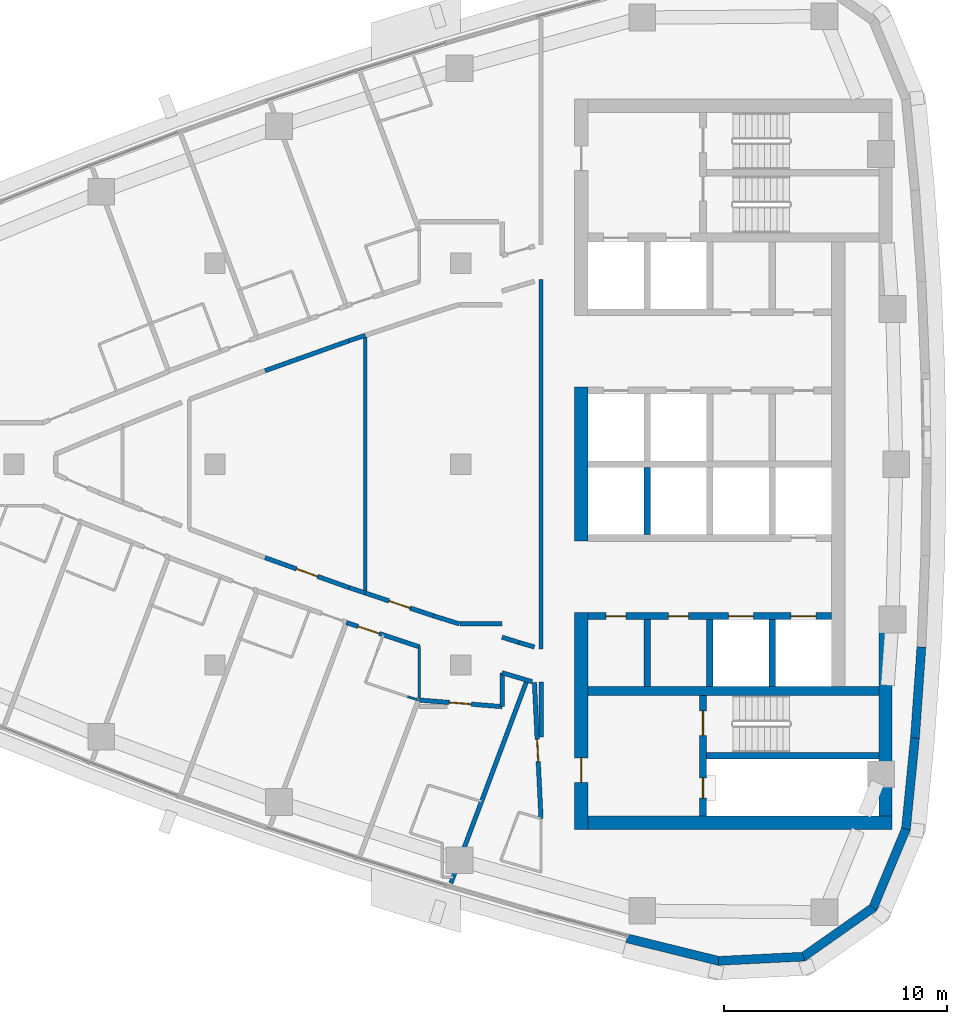
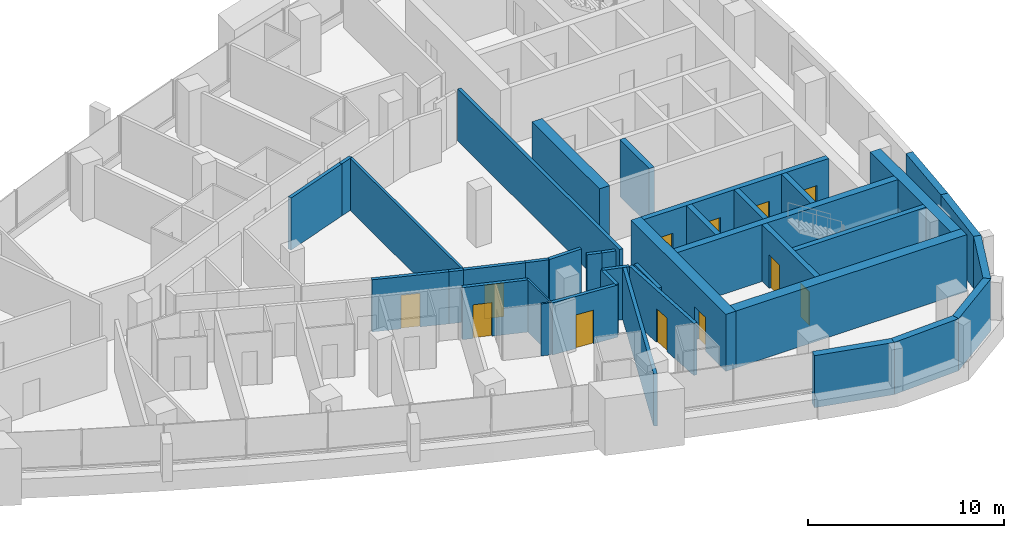
# One storey, part 10 of 16: 38 walls, 12 doors, 12 openings.
"""IFC4 building model written with IfcOpenShell, lengths in metres."""

from ifc_helpers import new_model, si_unit, direction, frame, frame_2d, origin, place, context, subcontext, project, spatial, polyline, rectangle, outline, extrude, material, layer, layer_set, type_object, element, fill, save


model = new_model("IFC4")

# Units and contexts
model_context = context("Model", 3, precision=1e-05, world=origin(), true_north=direction((0.0, 1.0)))
body_context = subcontext(model_context, "Body", "Model", "MODEL_VIEW")
ifc_project = project(units=[si_unit("LENGTHUNIT", "METRE"), si_unit("AREAUNIT", "SQUARE_METRE"), si_unit("VOLUMEUNIT", "CUBIC_METRE"), si_unit("PLANEANGLEUNIT", "RADIAN"), si_unit("MASSUNIT", "GRAM", prefix="KILO")], contexts=[model_context])

# Site, building, storey
site_placement = place(None, origin())
site = spatial("IfcSite", under=ifc_project, at=site_placement, CompositionType="ELEMENT")
building_placement = place(site_placement, origin())
building = spatial("IfcBuilding", under=site, at=building_placement, Name="Ostrand Prow Hotel Tower", CompositionType="ELEMENT")
storey_placement = place(building_placement, frame((0.0, 0.0, 249.199951171875)))
storey = spatial("IfcBuildingStorey", under=building, at=storey_placement, Name="L63", CompositionType="ELEMENT", Elevation=249.199951171875)

# Wall, openings, doors
ifc_material_1 = material(Name="Concrete C50/60", Category="concrete")
ifc_layer_1 = layer(ifc_material_1, 0.300048828125)
ifc_layer_set_1 = layer_set([ifc_layer_1], Name="Concrete C50/60")
wall_type_1 = type_object("IfcWallType", Name="Core wall 300 C50/60", PredefinedType="SHEAR", material=ifc_layer_set_1)
wall_1_placement = place(storey_placement, frame((50.699951171875, -6.800048828125, 0.0), z_axis=(0.0, 0.0, 1.0), x_axis=(1.0, 0.0, 0.0)))
wall_1 = element("IfcWall", 1, at=wall_1_placement, inside=storey, type_object=wall_type_1, Name="Core wall PW-L2-S", PredefinedType="SHEAR", context=body_context, shape_type="SweptSolid", body=[
    extrude(rectangle(XDim=10.900146484375, YDim=0.300048828125, at=frame_2d((5.4501953125, 0.0))), origin(), (0.0, 0.0, 1.0), 3.550048828125),
])
opening_1_placement = place(wall_1_placement, frame((6.300048828125, 0.0, 0.0)))
opening_1 = element("IfcOpeningElement", 2, at=opening_1_placement, cuts=wall_1, Name="Opening LD", PredefinedType="OPENING", context=body_context, shape_type="SweptSolid", body=[
    extrude(rectangle(XDim=1.10009765625, YDim=2.10009765625, at=frame_2d((0.550048828125, 1.050048828125))), frame((0.0, 0.159912109375, 0.0), z_axis=(0.0, -1.0, 0.0), x_axis=(1.0, 0.0, 0.0)), (0.0, 0.0, 1.0), 0.320068359375),
])
opening_2_placement = place(wall_1_placement, frame((9.10009765625, 0.0, 0.0)))
opening_2 = element("IfcOpeningElement", 3, at=opening_2_placement, cuts=wall_1, Name="Opening LD", PredefinedType="OPENING", context=body_context, shape_type="SweptSolid", body=[
    extrude(rectangle(XDim=1.10009765625, YDim=2.10009765625, at=frame_2d((0.550048828125, 1.050048828125))), frame((0.0, 0.159912109375, 0.0), z_axis=(0.0, -1.0, 0.0), x_axis=(1.0, 0.0, 0.0)), (0.0, 0.0, 1.0), 0.320068359375),
])
opening_3_placement = place(wall_1_placement, frame((0.800048828125, 0.0, 0.0)))
opening_3 = element("IfcOpeningElement", 4, at=opening_3_placement, cuts=wall_1, Name="Opening FD2", PredefinedType="OPENING", context=body_context, shape_type="SweptSolid", body=[
    extrude(rectangle(XDim=0.89990234375, YDim=2.10009765625, at=frame_2d((0.449951171875, 1.050048828125))), frame((0.0, 0.159912109375, 0.0), z_axis=(0.0, -1.0, 0.0), x_axis=(1.0, 0.0, 0.0)), (0.0, 0.0, 1.0), 0.320068359375),
])
opening_4_placement = place(wall_1_placement, frame((3.60009765625, 0.0, 0.0)))
opening_4 = element("IfcOpeningElement", 5, at=opening_4_placement, cuts=wall_1, Name="Opening FD2", PredefinedType="OPENING", context=body_context, shape_type="SweptSolid", body=[
    extrude(rectangle(XDim=0.89990234375, YDim=2.10009765625, at=frame_2d((0.449951171875, 1.050048828125))), frame((0.0, 0.159912109375, 0.0), z_axis=(0.0, -1.0, 0.0), x_axis=(1.0, 0.0, 0.0)), (0.0, 0.0, 1.0), 0.320068359375),
])
ifc_material_2 = material(Name="Steel fire door", Category="steel")
door_type_1 = type_object("IfcDoorType", Name="Fire door 900 EI120", OperationType="SINGLE_SWING_LEFT", PredefinedType="DOOR", material=ifc_material_2)
door_1_placement = place(opening_3_placement, origin())
door_1 = element("IfcDoor", 6, at=door_1_placement, inside=storey, type_object=door_type_1, Name="DOOR", OperationType="SINGLE_SWING_LEFT", OverallHeight=2.10009765625, OverallWidth=0.89990234375, PredefinedType="DOOR", context=body_context, shape_type="SweptSolid", body=[
    extrude(rectangle(XDim=0.89990234375, YDim=2.10009765625, at=frame_2d((0.449951171875, 1.050048828125))), frame((0.0, 0.02490234375, 0.0), z_axis=(0.0, -1.0, 0.0), x_axis=(1.0, 0.0, 0.0)), (0.0, 0.0, 1.0), 0.050048828125),
])
fill(opening_3, door_1)
door_2_placement = place(opening_4_placement, origin())
door_2 = element("IfcDoor", 7, at=door_2_placement, inside=storey, type_object=door_type_1, Name="DOOR", OperationType="SINGLE_SWING_LEFT", OverallHeight=2.10009765625, OverallWidth=0.89990234375, PredefinedType="DOOR", context=body_context, shape_type="SweptSolid", body=[
    extrude(rectangle(XDim=0.89990234375, YDim=2.10009765625, at=frame_2d((0.449951171875, 1.050048828125))), frame((0.0, 0.02490234375, 0.0), z_axis=(0.0, -1.0, 0.0), x_axis=(1.0, 0.0, 0.0)), (0.0, 0.0, 1.0), 0.050048828125),
])
fill(opening_4, door_2)
ifc_material_3 = material(Name="Stainless steel door", Category="steel")
door_type_2 = type_object("IfcDoorType", Name="Lift landing door 1100", OperationType="DOUBLE_DOOR_SLIDING", PredefinedType="DOOR", material=ifc_material_3)
door_3_placement = place(opening_1_placement, origin())
door_3 = element("IfcDoor", 8, at=door_3_placement, inside=storey, type_object=door_type_2, Name="LIFT LANDING DOOR", OperationType="DOUBLE_DOOR_SLIDING", OverallHeight=2.10009765625, OverallWidth=1.10009765625, PredefinedType="DOOR", context=body_context, shape_type="SweptSolid", body=[
    extrude(rectangle(XDim=1.10009765625, YDim=2.10009765625, at=frame_2d((0.550048828125, 1.050048828125))), frame((0.0, 0.02490234375, 0.0), z_axis=(0.0, -1.0, 0.0), x_axis=(1.0, 0.0, 0.0)), (0.0, 0.0, 1.0), 0.050048828125),
])
fill(opening_1, door_3)
door_4_placement = place(opening_2_placement, origin())
door_4 = element("IfcDoor", 9, at=door_4_placement, inside=storey, type_object=door_type_2, Name="LIFT LANDING DOOR", OperationType="DOUBLE_DOOR_SLIDING", OverallHeight=2.10009765625, OverallWidth=1.10009765625, PredefinedType="DOOR", context=body_context, shape_type="SweptSolid", body=[
    extrude(rectangle(XDim=1.10009765625, YDim=2.10009765625, at=frame_2d((0.550048828125, 1.050048828125))), frame((0.0, 0.02490234375, 0.0), z_axis=(0.0, -1.0, 0.0), x_axis=(1.0, 0.0, 0.0)), (0.0, 0.0, 1.0), 0.050048828125),
])
fill(opening_2, door_4)

# Walls
for number, where, z_axis, x_axis, name in (
    (10, (53.35009765625, -3.14990234375, 0.0), (0.0, 0.0, 1.0), (0.0, 1.0, 0.0), "Core wall PW-R1-SB"),
    (11, (53.35009765625, -9.949951171875, 0.0), (0.0, 0.0, 1.0), (0.0, 1.0, 0.0), "Core wall PW-R1-SA"),
    (12, (56.14990234375, -9.949951171875, 0.0), (0.0, 0.0, 1.0), (0.0, 1.0, 0.0), "Core wall PW-R2-SA"),
    (13, (58.949951171875, -9.949951171875, 0.0), (0.0, 0.0, 1.0), (0.0, 1.0, 0.0), "Core wall PW-R3-SA"),
):
    element("IfcWall", number, at=place(storey_placement, frame(where, z_axis=z_axis, x_axis=x_axis)), inside=storey, type_object=wall_type_1, Name=name, PredefinedType="SHEAR", context=body_context, shape_type="SweptSolid", body=[
        extrude(rectangle(XDim=3.0, YDim=0.300048828125, at=frame_2d((1.5, 0.0))), origin(), (0.0, 0.0, 1.0), 3.550048828125),
    ])

# Wall, openings, doors
wall_2_placement = place(storey_placement, frame((55.85009765625, -15.75, 0.0), z_axis=(0.0, 0.0, 1.0), x_axis=(0.0, 1.0, 0.0)))
wall_2 = element("IfcWall", 14, at=wall_2_placement, inside=storey, type_object=wall_type_1, Name="Core wall PW-VS", PredefinedType="SHEAR", context=body_context, shape_type="SweptSolid", body=[
    extrude(rectangle(XDim=5.39990234375, YDim=0.300048828125, at=frame_2d((2.699951171875, 0.0))), origin(), (0.0, 0.0, 1.0), 3.550048828125),
])
opening_5_placement = place(wall_2_placement, frame((3.60009765625, 0.0, 0.0)))
opening_5 = element("IfcOpeningElement", 15, at=opening_5_placement, cuts=wall_2, Name="Opening FD1", PredefinedType="OPENING", context=body_context, shape_type="SweptSolid", body=[
    extrude(rectangle(XDim=1.10009765625, YDim=2.10009765625, at=frame_2d((0.550048828125, 1.050048828125))), frame((0.0, 0.159912109375, 0.0), z_axis=(0.0, -1.0, 0.0), x_axis=(1.0, 0.0, 0.0)), (0.0, 0.0, 1.0), 0.320068359375),
])
opening_6_placement = place(wall_2_placement, frame((0.800048828125, 0.0, 0.0)))
opening_6 = element("IfcOpeningElement", 16, at=opening_6_placement, cuts=wall_2, Name="Opening FD2", PredefinedType="OPENING", context=body_context, shape_type="SweptSolid", body=[
    extrude(rectangle(XDim=0.89990234375, YDim=2.10009765625, at=frame_2d((0.449951171875, 1.050048828125))), frame((0.0, 0.159912109375, 0.0), z_axis=(0.0, -1.0, 0.0), x_axis=(1.0, 0.0, 0.0)), (0.0, 0.0, 1.0), 0.320068359375),
])
ifc_material_4 = material(Name="Steel fire door", Category="steel")
door_type_3 = type_object("IfcDoorType", Name="Fire door 1100 EI120", OperationType="SINGLE_SWING_RIGHT", PredefinedType="DOOR", material=ifc_material_4)
door_5_placement = place(opening_5_placement, origin())
door_5 = element("IfcDoor", 17, at=door_5_placement, inside=storey, type_object=door_type_3, Name="FIRE DOOR", OperationType="SINGLE_SWING_RIGHT", OverallHeight=2.10009765625, OverallWidth=1.10009765625, PredefinedType="DOOR", context=body_context, shape_type="SweptSolid", body=[
    extrude(rectangle(XDim=1.10009765625, YDim=2.10009765625, at=frame_2d((0.550048828125, 1.050048828125))), frame((0.0, 0.02490234375, 0.0), z_axis=(0.0, -1.0, 0.0), x_axis=(1.0, 0.0, 0.0)), (0.0, 0.0, 1.0), 0.050048828125),
])
fill(opening_5, door_5)
door_6_placement = place(opening_6_placement, origin())
door_6 = element("IfcDoor", 18, at=door_6_placement, inside=storey, type_object=door_type_1, Name="FIRE DOOR", OperationType="SINGLE_SWING_LEFT", OverallHeight=2.10009765625, OverallWidth=0.89990234375, PredefinedType="DOOR", context=body_context, shape_type="SweptSolid", body=[
    extrude(rectangle(XDim=0.89990234375, YDim=2.10009765625, at=frame_2d((0.449951171875, 1.050048828125))), frame((0.0, 0.02490234375, 0.0), z_axis=(0.0, -1.0, 0.0), x_axis=(1.0, 0.0, 0.0)), (0.0, 0.0, 1.0), 0.050048828125),
])
fill(opening_6, door_6)

# Walls
wall_3_placement = place(storey_placement, frame((56.0, -13.050048828125, 0.0), z_axis=(0.0, 0.0, 1.0), x_axis=(1.0, 0.0, 0.0)))
element("IfcWall", 19, at=wall_3_placement, inside=storey, type_object=wall_type_1, Name="Core wall PW-ST2R", PredefinedType="SHEAR", context=body_context, shape_type="SweptSolid", body=[
    extrude(rectangle(XDim=7.719970703125, YDim=0.300048828125, at=frame_2d((3.85986328125, 0.0))), origin(), (0.0, 0.0, 1.0), 3.550048828125),
])
ifc_material_5 = material(Name="Concrete C50/60", Category="concrete")
ifc_layer_2 = layer(ifc_material_5, 0.39990234375)
ifc_layer_set_2 = layer_set([ifc_layer_2], Name="Concrete C50/60")
wall_type_2 = type_object("IfcWallType", Name="Core wall 400 C50/60", PredefinedType="SHEAR", material=ifc_layer_set_2)
wall_4_placement = place(storey_placement, frame((50.699951171875, -10.14990234375, 0.0), z_axis=(0.0, 0.0, 1.0), x_axis=(1.0, 0.0, 0.0)))
element("IfcWall", 20, at=wall_4_placement, inside=storey, type_object=wall_type_2, Name="Core wall PW-BS", PredefinedType="SHEAR", context=body_context, shape_type="SweptSolid", body=[
    extrude(rectangle(XDim=13.02001953125, YDim=0.39990234375, at=frame_2d((6.510009765625, 0.0))), origin(), (0.0, 0.0, 1.0), 3.550048828125),
])
ifc_material_6 = material(Name="Concrete C50/60", Category="concrete")
ifc_layer_3 = layer(ifc_material_6, 0.60009765625)
ifc_layer_set_3 = layer_set([ifc_layer_3], Name="Concrete C50/60")
wall_type_3 = type_object("IfcWallType", Name="Core wall 600 C50/60", PredefinedType="SHEAR", material=ifc_layer_set_3)
wall_5_placement = place(storey_placement, frame((50.39990234375, -3.449951171875, 0.0), z_axis=(0.0, 0.0, 1.0), x_axis=(0.0, 1.0, 0.0)))
element("IfcWall", 21, at=wall_5_placement, inside=storey, type_object=wall_type_3, Name="Core wall CW-W-C", PredefinedType="SHEAR", context=body_context, shape_type="SweptSolid", body=[
    extrude(rectangle(XDim=6.89990234375, YDim=0.60009765625, at=frame_2d((3.449951171875, 0.0))), origin(), (0.0, 0.0, 1.0), 3.550048828125),
])

# Wall, opening, door
wall_6_placement = place(storey_placement, frame((50.39990234375, -16.35009765625, 0.0), z_axis=(0.0, 0.0, 1.0), x_axis=(0.0, 1.0, 0.0)))
wall_6 = element("IfcWall", 22, at=wall_6_placement, inside=storey, type_object=wall_type_3, Name="Core wall CW-W-S", PredefinedType="SHEAR", context=body_context, shape_type="SweptSolid", body=[
    extrude(rectangle(XDim=9.7001953125, YDim=0.60009765625, at=frame_2d((4.85009765625, 0.0))), origin(), (0.0, 0.0, 1.0), 3.550048828125),
])
opening_7_placement = place(wall_6_placement, frame((2.10009765625, 0.0, 0.0)))
opening_7 = element("IfcOpeningElement", 23, at=opening_7_placement, cuts=wall_6, Name="Opening FD1", PredefinedType="OPENING", context=body_context, shape_type="SweptSolid", body=[
    extrude(rectangle(XDim=1.10009765625, YDim=2.10009765625, at=frame_2d((0.550048828125, 1.050048828125))), frame((0.0, 0.31005859375, 0.0), z_axis=(0.0, -1.0, 0.0), x_axis=(1.0, 0.0, 0.0)), (0.0, 0.0, 1.0), 0.6201171875),
])
door_7_placement = place(opening_7_placement, origin())
door_7 = element("IfcDoor", 24, at=door_7_placement, inside=storey, type_object=door_type_3, Name="FIRE DOOR", OperationType="SINGLE_SWING_RIGHT", OverallHeight=2.10009765625, OverallWidth=1.10009765625, PredefinedType="DOOR", context=body_context, shape_type="SweptSolid", body=[
    extrude(rectangle(XDim=1.10009765625, YDim=2.10009765625, at=frame_2d((0.550048828125, 1.050048828125))), frame((0.0, 0.02490234375, 0.0), z_axis=(0.0, -1.0, 0.0), x_axis=(1.0, 0.0, 0.0)), (0.0, 0.0, 1.0), 0.050048828125),
])
fill(opening_7, door_7)

# Walls
wall_7_placement = place(storey_placement, frame((50.699951171875, -16.050048828125, 0.0), z_axis=(0.0, 0.0, 1.0), x_axis=(1.0, 0.0, 0.0)))
element("IfcWall", 25, at=wall_7_placement, inside=storey, type_object=wall_type_3, Name="Core wall CW-S", PredefinedType="SHEAR", context=body_context, shape_type="SweptSolid", body=[
    extrude(rectangle(XDim=13.6201171875, YDim=0.60009765625, at=frame_2d((6.81005859375, 0.0))), origin(), (0.0, 0.0, 1.0), 3.550048828125),
])
wall_8_placement = place(storey_placement, frame((64.02001953125, -15.75, 0.0), z_axis=(0.0, 0.0, 1.0), x_axis=(0.0, 1.0, 0.0)))
element("IfcWall", 26, at=wall_8_placement, inside=storey, type_object=wall_type_3, Name="Core wall CW-E-S", PredefinedType="SHEAR", context=body_context, shape_type="SweptSolid", body=[
    extrude(rectangle(XDim=8.247802734375, YDim=0.60009765625, at=frame_2d((4.1240234375, 0.0))), origin(), (0.0, 0.0, 1.0), 3.550048828125),
])
ifc_material_7 = material(Name="Plasterboard partition")
ifc_layer_4 = layer(ifc_material_7, 0.10009765625)
ifc_layer_set_4 = layer_set([ifc_layer_4], Name="Plasterboard partition")
wall_type_4 = type_object("IfcWallType", Name="Partition 100 bathroom wall", PredefinedType="PARTITIONING", material=ifc_layer_set_4)
wall_9_placement = place(storey_placement, frame((43.108154296875, -10.5615234375, 0.0), z_axis=(0.0, 0.0, 1.0), x_axis=(-0.954624465478, 0.297812239356, 0.0)))
element("IfcWall", 27, at=wall_9_placement, inside=storey, type_object=wall_type_4, Name="BATHROOM WALL", PredefinedType="PARTITIONING", context=body_context, shape_type="SweptSolid", body=[
    extrude(rectangle(XDim=0.5107421875, YDim=0.10009765625, at=frame_2d((0.25537109375, 0.0))), origin(), (0.0, 0.0, 1.0), 3.25),
])
wall_10_placement = place(storey_placement, frame((43.14501953125, -8.1650390625, 0.0), z_axis=(0.0, 0.0, 1.0), x_axis=(0.0, -1.0, 0.0)))
element("IfcWall", 28, at=wall_10_placement, inside=storey, type_object=wall_type_4, Name="BATHROOM WALL", PredefinedType="PARTITIONING", context=body_context, shape_type="SweptSolid", body=[
    extrude(rectangle(XDim=2.29833984375, YDim=0.10009765625, at=frame_2d((1.149169921875, 0.0))), origin(), (0.0, 0.0, 1.0), 3.25),
])
ifc_material_8 = material(Name="Plasterboard partition")
ifc_layer_5 = layer(ifc_material_8, 0.14990234375)
ifc_layer_set_5 = layer_set([ifc_layer_5], Name="Plasterboard partition")
wall_type_5 = type_object("IfcWallType", Name="Partition 150 room partition", PredefinedType="PARTITIONING", material=ifc_layer_set_5)
wall_11_placement = place(storey_placement, frame((40.72509765625, -5.77001953125, 0.0), z_axis=(0.0, 0.0, 1.0), x_axis=(0.0, 1.0, 0.0)))
element("IfcWall", 29, at=wall_11_placement, inside=storey, type_object=wall_type_5, Name="ROOM PARTITION", PredefinedType="PARTITIONING", context=body_context, shape_type="SweptSolid", body=[
    extrude(rectangle(XDim=11.5400390625, YDim=0.14990234375, at=frame_2d((5.77001953125, 0.0))), origin(), (0.0, 0.0, 1.0), 3.25),
])

# Wall, opening, door
ifc_material_9 = material(Name="Plasterboard partition")
ifc_layer_6 = layer(ifc_material_9, 0.199951171875)
ifc_layer_set_6 = layer_set([ifc_layer_6], Name="Plasterboard partition")
wall_type_6 = type_object("IfcWallType", Name="Partition 200 corridor wall", PredefinedType="PARTITIONING", material=ifc_layer_set_6)
wall_12_placement = place(storey_placement, frame((39.88232421875, -7.091064453125, 0.0), z_axis=(0.0, 0.0, 1.0), x_axis=(0.948477584784, -0.316844238013, 0.0)))
wall_12 = element("IfcWall", 30, at=wall_12_placement, inside=storey, type_object=wall_type_6, Name="CORRIDOR WALL", PredefinedType="PARTITIONING", context=body_context, shape_type="SweptSolid", body=[
    extrude(rectangle(XDim=3.445068359375, YDim=0.199951171875, at=frame_2d((1.72265625, 0.0))), origin(), (0.0, 0.0, 1.0), 3.25),
])
opening_8_placement = place(wall_12_placement, frame((0.550048828125, 0.0, 0.0)))
opening_8 = element("IfcOpeningElement", 31, at=opening_8_placement, cuts=wall_12, Name="Opening D1", PredefinedType="OPENING", context=body_context, shape_type="SweptSolid", body=[
    extrude(rectangle(XDim=1.0, YDim=2.10009765625, at=frame_2d((0.5, 1.050048828125))), frame((0.0, 0.10986328125, 0.0), z_axis=(0.0, -1.0, 0.0), x_axis=(1.0, 0.0, 0.0)), (0.0, 0.0, 1.0), 0.219970703125),
])
ifc_material_10 = material(Name="Timber door leaf", Category="wood")
door_type_4 = type_object("IfcDoorType", Name="Guest room door 1000", OperationType="SINGLE_SWING_LEFT", PredefinedType="DOOR", material=ifc_material_10)
door_8_placement = place(opening_8_placement, origin())
door_8 = element("IfcDoor", 32, at=door_8_placement, inside=storey, type_object=door_type_4, Name="DOOR", OperationType="SINGLE_SWING_LEFT", OverallHeight=2.10009765625, OverallWidth=1.0, PredefinedType="DOOR", context=body_context, shape_type="SweptSolid", body=[
    extrude(rectangle(XDim=1.0, YDim=2.10009765625, at=frame_2d((0.5, 1.050048828125))), frame((0.0, 0.02490234375, 0.0), z_axis=(0.0, -1.0, 0.0), x_axis=(1.0, 0.0, 0.0)), (0.0, 0.0, 1.0), 0.050048828125),
])
fill(opening_8, door_8)

# Wall
wall_13_placement = place(storey_placement, frame((46.85009765625, -9.340087890625, 0.0), z_axis=(0.0, 0.0, 1.0), x_axis=(0.958866391875, -0.283857785753, 0.0)))
element("IfcWall", 33, at=wall_13_placement, inside=storey, type_object=wall_type_6, Name="CORRIDOR WALL", PredefinedType="PARTITIONING", context=body_context, shape_type="SweptSolid", body=[
    extrude(rectangle(XDim=1.40625, YDim=0.199951171875, at=frame_2d((0.703125, 0.0))), origin(), (0.0, 0.0, 1.0), 3.25),
])

# Wall, opening, door
wall_14_placement = place(storey_placement, frame((39.999267578125, -5.52734375, 0.0), z_axis=(0.0, 0.0, 1.0), x_axis=(-0.941909090846, 0.335867927288, 0.0)))
wall_14 = element("IfcWall", 34, at=wall_14_placement, inside=storey, type_object=wall_type_6, Name="CORRIDOR WALL", PredefinedType="PARTITIONING", context=body_context, shape_type="SweptSolid", body=[
    extrude(rectangle(XDim=3.9951171875, YDim=0.199951171875, at=frame_2d((1.99755859375, 0.0))), origin(), (0.0, 0.0, 1.0), 3.25),
])
opening_9_placement = place(wall_14_placement, frame((1.49755859375, 0.0, 0.0)))
opening_9 = element("IfcOpeningElement", 35, at=opening_9_placement, cuts=wall_14, Name="Opening D1R", PredefinedType="OPENING", context=body_context, shape_type="SweptSolid", body=[
    extrude(rectangle(XDim=1.0, YDim=2.10009765625, at=frame_2d((0.5, 1.050048828125))), frame((0.0, 0.10986328125, 0.0), z_axis=(0.0, -1.0, 0.0), x_axis=(1.0, 0.0, 0.0)), (0.0, 0.0, 1.0), 0.219970703125),
])
ifc_material_11 = material(Name="Timber door leaf", Category="wood")
door_type_5 = type_object("IfcDoorType", Name="Guest room door 1000 right", OperationType="SINGLE_SWING_RIGHT", PredefinedType="DOOR", material=ifc_material_11)
door_9_placement = place(opening_9_placement, origin())
door_9 = element("IfcDoor", 36, at=door_9_placement, inside=storey, type_object=door_type_5, Name="DOOR", OperationType="SINGLE_SWING_RIGHT", OverallHeight=2.10009765625, OverallWidth=1.0, PredefinedType="DOOR", context=body_context, shape_type="SweptSolid", body=[
    extrude(rectangle(XDim=1.0, YDim=2.10009765625, at=frame_2d((0.5, 1.050048828125))), frame((0.0, 0.02490234375, 0.0), z_axis=(0.0, -1.0, 0.0), x_axis=(1.0, 0.0, 0.0)), (0.0, 0.0, 1.0), 0.050048828125),
])
fill(opening_9, door_9)

# Walls
for number, where, z_axis, x_axis, name in (
    (37, (39.999267578125, 5.52734375, 0.0), (0.0, 0.0, 1.0), (0.948395804395, 0.317088943683, 0.0), "CORRIDOR WALL"),
    (38, (40.72509765625, -5.77001953125, 0.0), (0.0, 0.0, 1.0), (-0.948395804395, 0.317088943683, 0.0), "CORRIDOR WALL"),
):
    element("IfcWall", number, at=place(storey_placement, frame(where, z_axis=z_axis, x_axis=x_axis)), inside=storey, type_object=wall_type_6, Name=name, PredefinedType="PARTITIONING", context=body_context, shape_type="SweptSolid", body=[
        extrude(rectangle(XDim=0.765380859375, YDim=0.199951171875, at=frame_2d((0.3828125, 0.0))), origin(), (0.0, 0.0, 1.0), 3.25),
    ])
wall_15_placement = place(storey_placement, frame((36.236328125, 4.185546875, 0.0), z_axis=(0.0, 0.0, 1.0), x_axis=(0.941909090846, 0.335867927288, 0.0)))
element("IfcWall", 39, at=wall_15_placement, inside=storey, type_object=wall_type_6, Name="CORRIDOR WALL", PredefinedType="PARTITIONING", context=body_context, shape_type="SweptSolid", body=[
    extrude(rectangle(XDim=3.9951171875, YDim=0.199951171875, at=frame_2d((1.99755859375, 0.0))), origin(), (0.0, 0.0, 1.0), 3.25),
])

# Wall, opening, door
wall_16_placement = place(storey_placement, frame((43.788330078125, -6.793212890625, 0.0), z_axis=(0.0, 0.0, 1.0), x_axis=(-0.948486568618, 0.316817343515, 0.0)))
wall_16 = element("IfcWall", 40, at=wall_16_placement, inside=storey, type_object=wall_type_6, Name="CORRIDOR WALL", PredefinedType="PARTITIONING", context=body_context, shape_type="SweptSolid", body=[
    extrude(rectangle(XDim=3.2294921875, YDim=0.199951171875, at=frame_2d((1.61474609375, 0.0))), origin(), (0.0, 0.0, 1.0), 3.25),
])
opening_10_placement = place(wall_16_placement, frame((1.114990234375, 0.0, 0.0)))
opening_10 = element("IfcOpeningElement", 41, at=opening_10_placement, cuts=wall_16, Name="Opening D1", PredefinedType="OPENING", context=body_context, shape_type="SweptSolid", body=[
    extrude(rectangle(XDim=1.0, YDim=2.10009765625, at=frame_2d((0.5, 1.050048828125))), frame((0.0, 0.10986328125, 0.0), z_axis=(0.0, -1.0, 0.0), x_axis=(1.0, 0.0, 0.0)), (0.0, 0.0, 1.0), 0.219970703125),
])
door_10_placement = place(opening_10_placement, origin())
door_10 = element("IfcDoor", 42, at=door_10_placement, inside=storey, type_object=door_type_4, Name="DOOR", OperationType="SINGLE_SWING_LEFT", OverallHeight=2.10009765625, OverallWidth=1.0, PredefinedType="DOOR", context=body_context, shape_type="SweptSolid", body=[
    extrude(rectangle(XDim=1.0, YDim=2.10009765625, at=frame_2d((0.5, 1.050048828125))), frame((0.0, 0.02490234375, 0.0), z_axis=(0.0, -1.0, 0.0), x_axis=(1.0, 0.0, 0.0)), (0.0, 0.0, 1.0), 0.050048828125),
])
fill(opening_10, door_10)

# Walls
wall_17_placement = place(storey_placement, frame((47.60205078125, -7.982421875, 0.0), z_axis=(0.0, 0.0, 1.0), x_axis=(-0.95461224237, 0.297851417181, 0.0)))
element("IfcWall", 43, at=wall_17_placement, inside=storey, type_object=wall_type_6, Name="CORRIDOR WALL", PredefinedType="PARTITIONING", context=body_context, shape_type="SweptSolid", body=[
    extrude(rectangle(XDim=0.78759765625, YDim=0.199951171875, at=frame_2d((0.393798828125, 0.0))), origin(), (0.0, 0.0, 1.0), 3.25),
])
wall_18_placement = place(storey_placement, frame((44.9326171875, -7.14990234375, 0.0), z_axis=(0.0, 0.0, 1.0), x_axis=(-0.954693570678, 0.29759063511, 0.0)))
element("IfcWall", 44, at=wall_18_placement, inside=storey, type_object=wall_type_6, Name="CORRIDOR WALL", PredefinedType="PARTITIONING", context=body_context, shape_type="SweptSolid", body=[
    extrude(rectangle(XDim=1.198486328125, YDim=0.199951171875, at=frame_2d((0.59912109375, 0.0))), origin(), (0.0, 0.0, 1.0), 3.25),
])
wall_19_placement = place(storey_placement, frame((48.300048828125, -8.184814453125, 0.0), z_axis=(0.0, 0.0, 1.0), x_axis=(-0.960439023181, 0.278490363839, 0.0)))
element("IfcWall", 45, at=wall_19_placement, inside=storey, type_object=wall_type_6, Name="CORRIDOR WALL", PredefinedType="PARTITIONING", context=body_context, shape_type="SweptSolid", body=[
    extrude(rectangle(XDim=0.726806640625, YDim=0.199951171875, at=frame_2d((0.36328125, 0.0))), origin(), (0.0, 0.0, 1.0), 3.25),
])

# Wall, opening, door
wall_20_placement = place(storey_placement, frame((43.157958984375, -10.5654296875, 0.0), z_axis=(0.0, 0.0, 1.0), x_axis=(0.996940593543, -0.078162989617, 0.0)))
wall_20 = element("IfcWall", 46, at=wall_20_placement, inside=storey, type_object=wall_type_6, Name="CORRIDOR WALL", PredefinedType="PARTITIONING", context=body_context, shape_type="SweptSolid", body=[
    extrude(rectangle(XDim=3.704345703125, YDim=0.199951171875, at=frame_2d((1.85205078125, 0.0))), origin(), (0.0, 0.0, 1.0), 3.25),
])
opening_11_placement = place(wall_20_placement, frame((1.326904296875, 0.0, 0.0)))
opening_11 = element("IfcOpeningElement", 47, at=opening_11_placement, cuts=wall_20, Name="Opening D1R", PredefinedType="OPENING", context=body_context, shape_type="SweptSolid", body=[
    extrude(rectangle(XDim=1.0, YDim=2.10009765625, at=frame_2d((0.5, 1.050048828125))), frame((0.0, 0.10986328125, 0.0), z_axis=(0.0, -1.0, 0.0), x_axis=(1.0, 0.0, 0.0)), (0.0, 0.0, 1.0), 0.219970703125),
])
door_11_placement = place(opening_11_placement, origin())
door_11 = element("IfcDoor", 48, at=door_11_placement, inside=storey, type_object=door_type_5, Name="DOOR", OperationType="SINGLE_SWING_RIGHT", OverallHeight=2.10009765625, OverallWidth=1.0, PredefinedType="DOOR", context=body_context, shape_type="SweptSolid", body=[
    extrude(rectangle(XDim=1.0, YDim=2.10009765625, at=frame_2d((0.5, 1.050048828125))), frame((0.0, 0.02490234375, 0.0), z_axis=(0.0, -1.0, 0.0), x_axis=(1.0, 0.0, 0.0)), (0.0, 0.0, 1.0), 0.050048828125),
])
fill(opening_11, door_11)

wall_21_placement = place(storey_placement, frame((48.300048828125, -9.76708984375, 0.0), z_axis=(0.0, 0.0, 1.0), x_axis=(0.048302241024, -0.998832765538, 0.0)))
wall_21 = element("IfcWall", 49, at=wall_21_placement, inside=storey, type_object=wall_type_6, Name="CORRIDOR WALL", PredefinedType="PARTITIONING", context=body_context, shape_type="SweptSolid", body=[
    extrude(rectangle(XDim=6.105712890625, YDim=0.199951171875, at=frame_2d((3.052734375, 0.0))), origin(), (0.0, 0.0, 1.0), 3.25),
])
opening_12_placement = place(wall_21_placement, frame((2.552978515625, 0.0, 0.0)))
opening_12 = element("IfcOpeningElement", 50, at=opening_12_placement, cuts=wall_21, Name="Opening D1", PredefinedType="OPENING", context=body_context, shape_type="SweptSolid", body=[
    extrude(rectangle(XDim=1.0, YDim=2.10009765625, at=frame_2d((0.5, 1.050048828125))), frame((0.0, 0.10986328125, 0.0), z_axis=(0.0, -1.0, 0.0), x_axis=(1.0, 0.0, 0.0)), (0.0, 0.0, 1.0), 0.219970703125),
])
door_12_placement = place(opening_12_placement, origin())
door_12 = element("IfcDoor", 51, at=door_12_placement, inside=storey, type_object=door_type_4, Name="DOOR", OperationType="SINGLE_SWING_LEFT", OverallHeight=2.10009765625, OverallWidth=1.0, PredefinedType="DOOR", context=body_context, shape_type="SweptSolid", body=[
    extrude(rectangle(XDim=1.0, YDim=2.10009765625, at=frame_2d((0.5, 1.050048828125))), frame((0.0, 0.02490234375, 0.0), z_axis=(0.0, -1.0, 0.0), x_axis=(1.0, 0.0, 0.0)), (0.0, 0.0, 1.0), 0.050048828125),
])
fill(opening_12, door_12)

# Walls
wall_22_placement = place(storey_placement, frame((48.594970703125, 8.264892578125, 0.0), z_axis=(0.0, 0.0, 1.0), x_axis=(0.0, -1.0, 0.0)))
element("IfcWall", 52, at=wall_22_placement, inside=storey, type_object=wall_type_6, Name="CORRIDOR WALL", PredefinedType="PARTITIONING", context=body_context, shape_type="SweptSolid", body=[
    extrude(rectangle(XDim=16.52978515625, YDim=0.199951171875, at=frame_2d((8.264892578125, 0.0))), origin(), (0.0, 0.0, 1.0), 3.25),
])
wall_23_placement = place(storey_placement, frame((46.8515625, -7.145263671875, 0.0), z_axis=(0.0, 0.0, 1.0), x_axis=(-0.99999999156, 0.000129920747, 0.0)))
element("IfcWall", 53, at=wall_23_placement, inside=storey, type_object=wall_type_6, Name="CORRIDOR WALL", PredefinedType="PARTITIONING", context=body_context, shape_type="SweptSolid", body=[
    extrude(rectangle(XDim=1.879150390625, YDim=0.199951171875, at=frame_2d((0.939453125, 0.0))), origin(), (0.0, 0.0, 1.0), 3.25),
])
wall_24_placement = place(storey_placement, frame((46.85107421875, -10.85498046875, 0.0), z_axis=(0.0, 0.0, 1.0), x_axis=(-0.000644641284, 0.999999792219, 0.0)))
element("IfcWall", 54, at=wall_24_placement, inside=storey, type_object=wall_type_6, Name="CORRIDOR WALL", PredefinedType="PARTITIONING", context=body_context, shape_type="SweptSolid", body=[
    extrude(rectangle(XDim=1.514892578125, YDim=0.199951171875, at=frame_2d((0.75732421875, 0.0))), origin(), (0.0, 0.0, 1.0), 3.25),
])
wall_25_placement = place(storey_placement, frame((48.60009765625, -12.22412109375, 0.0), z_axis=(0.0, 0.0, 1.0), x_axis=(0.0, 1.0, 0.0)))
element("IfcWall", 55, at=wall_25_placement, inside=storey, type_object=wall_type_6, Name="CORRIDOR WALL", PredefinedType="PARTITIONING", context=body_context, shape_type="SweptSolid", body=[
    extrude(rectangle(XDim=2.468994140625, YDim=0.199951171875, at=frame_2d((1.234375, 0.0))), origin(), (0.0, 0.0, 1.0), 3.25),
])
ifc_material_12 = material(Name="Plasterboard partition")
ifc_layer_7 = layer(ifc_material_12, 0.199951171875)
ifc_layer_set_7 = layer_set([ifc_layer_7], Name="Plasterboard partition")
wall_type_7 = type_object("IfcWallType", Name="Partition 200 key partition", PredefinedType="PARTITIONING", material=ifc_layer_set_7)
wall_26_placement = place(storey_placement, frame((44.560302734375, -18.76171875, 0.0), z_axis=(0.0, 0.0, 1.0), x_axis=(0.35112901071, 0.936327089129, 0.0)))
element("IfcWall", 56, at=wall_26_placement, inside=storey, type_object=wall_type_7, Name="KEY PARTITION", PredefinedType="PARTITIONING", context=body_context, shape_type="SweptSolid", body=[
    extrude(rectangle(XDim=9.6083984375, YDim=0.199951171875, at=frame_2d((4.80419921875, 0.0))), origin(), (0.0, 0.0, 1.0), 3.25),
])
ifc_material_13 = material(Name="Precast concrete C40/50", Category="concrete")
ifc_layer_8 = layer(ifc_material_13, 0.39990234375)
ifc_layer_set_8 = layer_set([ifc_layer_8], Name="Precast concrete C40/50")
wall_type_8 = type_object("IfcWallType", Name="Stone-faced precast wall 400 mm", PredefinedType="NOTDEFINED", material=ifc_layer_set_8)
wall_27_placement = place(storey_placement, frame((52.440673828125, -21.229736328125, 0.0), z_axis=(0.0, 0.0, 1.0), x_axis=(0.970902342456, -0.23947576373, 0.0)))
element("IfcWall", 57, at=wall_27_placement, inside=storey, type_object=wall_type_8, Name="Stone-faced wall back 1", PredefinedType="NOTDEFINED", context=body_context, shape_type="SweptSolid", body=[
    extrude(outline(polyline([(0.0, -0.199951171875), (4.255126953125, -0.199951171875), (4.196533203125, 0.199951171875), (0.0, 0.199951171875), (0.0, -0.199951171875)])), origin(), (0.0, 0.0, 1.0), 3.25),
])
wall_28_placement = place(storey_placement, frame((56.54345703125, -22.24169921875, 0.0), z_axis=(0.0, 0.0, 1.0), x_axis=(0.998758875872, 0.049806705046, 0.0)))
element("IfcWall", 58, at=wall_28_placement, inside=storey, type_object=wall_type_8, Name="Stone-faced wall back 2", PredefinedType="NOTDEFINED", context=body_context, shape_type="SweptSolid", body=[
    extrude(outline(polyline([(-0.029296875, -0.199951171875), (3.871337890625, -0.199951171875), (3.755615234375, 0.199951171875), (0.029296875, 0.199951171875), (-0.029296875, -0.199951171875)])), origin(), (0.0, 0.0, 1.0), 3.25),
])
wall_29_placement = place(storey_placement, frame((60.352294921875, -22.0517578125, 0.0), z_axis=(0.0, 0.0, 1.0), x_axis=(0.817942545532, 0.575299915009, 0.0)))
element("IfcWall", 59, at=wall_29_placement, inside=storey, type_object=wall_type_8, Name="Stone-faced wall back 3", PredefinedType="NOTDEFINED", context=body_context, shape_type="SweptSolid", body=[
    extrude(outline(polyline([(-0.057861328125, -0.199951171875), (3.871337890625, -0.199951171875), (3.755615234375, 0.199951171875), (0.057861328125, 0.199951171875), (-0.057861328125, -0.199951171875)])), origin(), (0.0, 0.0, 1.0), 3.25),
])
wall_30_placement = place(storey_placement, frame((63.471435546875, -19.85791015625, 0.0), z_axis=(0.0, 0.0, 1.0), x_axis=(0.3844335483, 0.923152667191, 0.0)))
element("IfcWall", 60, at=wall_30_placement, inside=storey, type_object=wall_type_8, Name="Stone-faced wall back 4", PredefinedType="NOTDEFINED", context=body_context, shape_type="SweptSolid", body=[
    extrude(outline(polyline([(-0.057861328125, -0.199951171875), (3.84326171875, -0.199951171875), (3.78369140625, 0.199951171875), (0.057861328125, 0.199951171875), (-0.057861328125, -0.199951171875)])), origin(), (0.0, 0.0, 1.0), 3.25),
])
wall_31_placement = place(storey_placement, frame((64.9375, -16.33740234375, 0.0), z_axis=(0.0, 0.0, 1.0), x_axis=(0.098718218066, 0.995115427185, 0.0)))
element("IfcWall", 61, at=wall_31_placement, inside=storey, type_object=wall_type_8, Name="Stone-faced wall back 5", PredefinedType="NOTDEFINED", context=body_context, shape_type="SweptSolid", body=[
    extrude(outline(polyline([(-0.02978515625, -0.199951171875), (4.095703125, -0.199951171875), (4.09033203125, 0.199951171875), (0.02978515625, 0.199951171875), (-0.02978515625, -0.199951171875)])), origin(), (0.0, 0.0, 1.0), 3.25),
])
wall_32_placement = place(storey_placement, frame((65.341552734375, -12.264404296875, 0.0), z_axis=(0.0, 0.0, 1.0), x_axis=(0.070623905352, 0.997503014528, 0.0)))
element("IfcWall", 62, at=wall_32_placement, inside=storey, type_object=wall_type_8, Name="Stone-faced wall back 6", PredefinedType="NOTDEFINED", context=body_context, shape_type="SweptSolid", body=[
    extrude(outline(polyline([(-0.002685546875, -0.199951171875), (4.095703125, -0.199951171875), (4.09033203125, 0.199951171875), (0.002685546875, 0.199951171875), (-0.002685546875, -0.199951171875)])), origin(), (0.0, 0.0, 1.0), 3.25),
])

save(model, "model.ifc")
